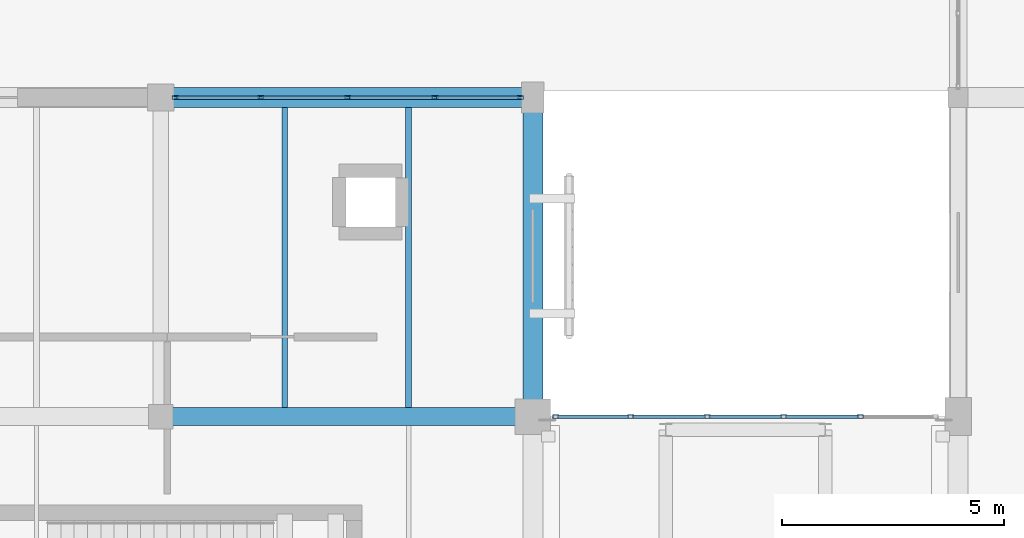
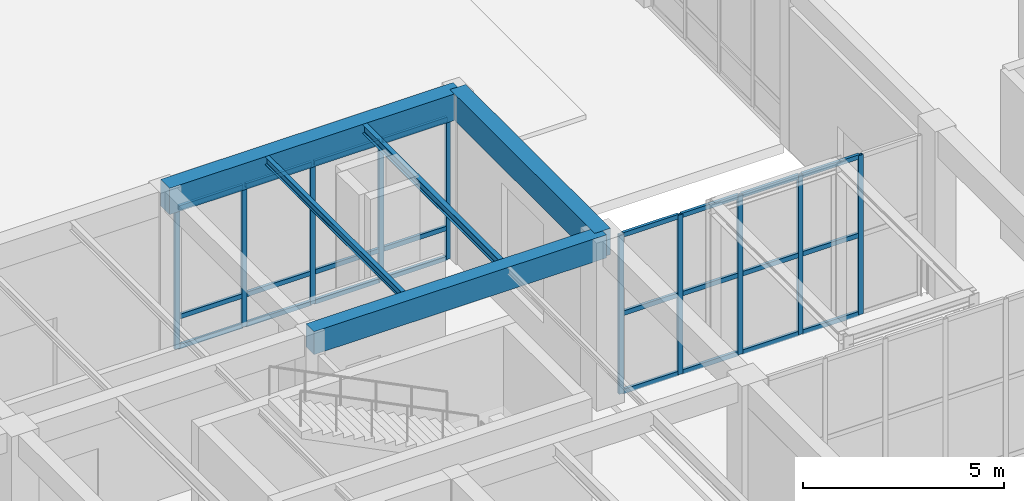
# One storey, part 53 of 169: 34 members, 5 beams, 2 elements without a shape of their own.
"""IFC4 building model written with IfcOpenShell, lengths in metres."""

from ifc_helpers import new_model, si_unit, direction, frame, origin, origin_2d, place, context, subcontext, project, spatial, rectangle, hollow_rectangle, i_section, extrude, material, layer, layer_set, material_profile, profile_set, type_object, element, aggregate, save


model = new_model("IFC4")

# Units and contexts
model_context = context("Model", 3, precision=1e-05, world=origin(), true_north=direction((0.0, 1.0)))
body_context = subcontext(model_context, "Body", "Model", "MODEL_VIEW")
ifc_project = project(units=[si_unit("LENGTHUNIT", "METRE"), si_unit("AREAUNIT", "SQUARE_METRE"), si_unit("VOLUMEUNIT", "CUBIC_METRE"), si_unit("PLANEANGLEUNIT", "RADIAN"), si_unit("MASSUNIT", "GRAM", prefix="KILO")], contexts=[model_context])

# Site, building, storey
site_placement = place(None, origin())
site = spatial("IfcSite", under=ifc_project, at=site_placement, CompositionType="ELEMENT")
building_placement = place(site_placement, origin())
building = spatial("IfcBuilding", under=site, at=building_placement, Name="Mazaris Harbour Polytechnic", CompositionType="ELEMENT")
storey_placement = place(building_placement, origin())
storey = spatial("IfcBuildingStorey", under=building, at=storey_placement, Name="L00", CompositionType="ELEMENT", Elevation=0.0)

# Curtain wall, members
ifc_material_1 = material(Name="Anodised Bronze Aluminium and Low-E Glass", Category="aluminium")
ifc_layer_1 = layer(ifc_material_1, 0.159912109375, Name="Anodised Bronze Aluminium and Low-E Glass")
ifc_layer_set_1 = layer_set([ifc_layer_1], Name="Anodised Bronze Aluminium and Low-E Glass")
curtain_wall_type_1 = type_object("IfcCurtainWallType", Name="Cloister Court Curtain Wall", PredefinedType="NOTDEFINED", material=ifc_layer_set_1)
curtain_wall_1_placement = place(storey_placement, origin())
curtain_wall_1 = element("IfcCurtainWall", 1, at=curtain_wall_1_placement, inside=storey, type_object=curtain_wall_type_1, Name="V3 L00 Curtain Wall 67", PredefinedType="NOTDEFINED")
ifc_material_2 = material(Name="Anodised Bronze Steel S355", Category="steel")
ifc_material_profile_1 = material_profile(ifc_material_2, hollow_rectangle(XDim=0.080078125, YDim=0.139892578125, WallThickness=0.00634765625, at=origin_2d()), Name="RHS 80x140x6.3")
ifc_profile_set_1 = profile_set([ifc_material_profile_1], Name="Anodised Bronze Steel S355")
member_type_1 = type_object("IfcMemberType", Name="Curtain Mullion RHS80x140", PredefinedType="MULLION", material=ifc_profile_set_1)
member_1_placement = place(storey_placement, frame((104.73193359375, 36.0, 0.0), z_axis=(0.0, 0.0, 1.0), x_axis=(0.0, 1.0, 0.0)))
member_1 = element("IfcMember", 2, at=member_1_placement, type_object=member_type_1, Name="CW-02 mullion 1", PredefinedType="MULLION", context=body_context, shape_type="SweptSolid", body=[
    extrude(hollow_rectangle(XDim=0.080078125, YDim=0.139892578125, WallThickness=0.00634765625, at=origin_2d()), origin(), (0.0, 0.0, 1.0), 4.2900390625),
])
member_2_placement = place(storey_placement, frame((106.658447265625, 36.0, 0.0), z_axis=(0.0, 0.0, 1.0), x_axis=(0.0, 1.0, 0.0)))
member_2 = element("IfcMember", 3, at=member_2_placement, type_object=member_type_1, Name="CW-02 mullion 2", PredefinedType="MULLION", context=body_context, shape_type="SweptSolid", body=[
    extrude(hollow_rectangle(XDim=0.080078125, YDim=0.139892578125, WallThickness=0.00634765625, at=origin_2d()), origin(), (0.0, 0.0, 1.0), 4.2900390625),
])
member_3_placement = place(storey_placement, frame((108.625, 36.0, 0.0), z_axis=(0.0, 0.0, 1.0), x_axis=(0.0, 1.0, 0.0)))
member_3 = element("IfcMember", 4, at=member_3_placement, type_object=member_type_1, Name="CW-02 mullion 3", PredefinedType="MULLION", context=body_context, shape_type="SweptSolid", body=[
    extrude(hollow_rectangle(XDim=0.080078125, YDim=0.139892578125, WallThickness=0.00634765625, at=origin_2d()), origin(), (0.0, 0.0, 1.0), 4.2900390625),
])
member_4_placement = place(storey_placement, frame((110.591552734375, 36.0, 0.0), z_axis=(0.0, 0.0, 1.0), x_axis=(0.0, 1.0, 0.0)))
member_4 = element("IfcMember", 5, at=member_4_placement, type_object=member_type_1, Name="CW-02 mullion 4", PredefinedType="MULLION", context=body_context, shape_type="SweptSolid", body=[
    extrude(hollow_rectangle(XDim=0.080078125, YDim=0.139892578125, WallThickness=0.00634765625, at=origin_2d()), origin(), (0.0, 0.0, 1.0), 4.2900390625),
])
member_5_placement = place(storey_placement, frame((112.51806640625, 36.0, 0.0), z_axis=(0.0, 0.0, 1.0), x_axis=(0.0, 1.0, 0.0)))
member_5 = element("IfcMember", 6, at=member_5_placement, type_object=member_type_1, Name="CW-02 mullion 5", PredefinedType="MULLION", context=body_context, shape_type="SweptSolid", body=[
    extrude(hollow_rectangle(XDim=0.080078125, YDim=0.139892578125, WallThickness=0.00634765625, at=origin_2d()), origin(), (0.0, 0.0, 1.0), 4.2900390625),
])

ifc_material_3 = material(Name="Anodised Bronze Aluminium and Low-E Glass", Category="aluminium")
ifc_layer_2 = layer(ifc_material_3, 0.139892578125, Name="Anodised Bronze Aluminium and Low-E Glass")
ifc_layer_set_2 = layer_set([ifc_layer_2], Name="Anodised Bronze Aluminium and Low-E Glass")
curtain_wall_type_2 = type_object("IfcCurtainWallType", Name="Seismic Link Bridge Glazing", PredefinedType="NOTDEFINED", material=ifc_layer_set_2)
curtain_wall_2_placement = place(storey_placement, origin())
curtain_wall_2 = element("IfcCurtainWall", 7, at=curtain_wall_2_placement, inside=storey, type_object=curtain_wall_type_2, Name="PB-E1 L00 Bridge Glazing", PredefinedType="NOTDEFINED")
member_6_placement = place(storey_placement, frame((120.19189453125, 28.800048828125, 0.0), z_axis=(0.0, 0.0, 1.0), x_axis=(0.0, -1.0, 0.0)))
member_6 = element("IfcMember", 8, at=member_6_placement, type_object=member_type_1, Name="CW-05 mullion 2", PredefinedType="MULLION", context=body_context, shape_type="SweptSolid", body=[
    extrude(hollow_rectangle(XDim=0.080078125, YDim=0.139892578125, WallThickness=0.00634765625, at=origin_2d()), origin(), (0.0, 0.0, 1.0), 4.8349609375),
])
member_7_placement = place(storey_placement, frame((118.464111328125, 28.800048828125, 0.0), z_axis=(0.0, 0.0, 1.0), x_axis=(0.0, -1.0, 0.0)))
member_7 = element("IfcMember", 9, at=member_7_placement, type_object=member_type_1, Name="CW-05 mullion 3", PredefinedType="MULLION", context=body_context, shape_type="SweptSolid", body=[
    extrude(hollow_rectangle(XDim=0.080078125, YDim=0.139892578125, WallThickness=0.00634765625, at=origin_2d()), origin(), (0.0, 0.0, 1.0), 4.8349609375),
])
member_8_placement = place(storey_placement, frame((116.736083984375, 28.800048828125, 0.0), z_axis=(0.0, 0.0, 1.0), x_axis=(0.0, -1.0, 0.0)))
member_8 = element("IfcMember", 10, at=member_8_placement, type_object=member_type_1, Name="CW-05 mullion 4", PredefinedType="MULLION", context=body_context, shape_type="SweptSolid", body=[
    extrude(hollow_rectangle(XDim=0.080078125, YDim=0.139892578125, WallThickness=0.00634765625, at=origin_2d()), origin(), (0.0, 0.0, 1.0), 4.8349609375),
])
member_9_placement = place(storey_placement, frame((115.008056640625, 28.800048828125, 0.0), z_axis=(0.0, 0.0, 1.0), x_axis=(0.0, -1.0, 0.0)))
member_9 = element("IfcMember", 11, at=member_9_placement, type_object=member_type_1, Name="CW-05 mullion 5", PredefinedType="MULLION", context=body_context, shape_type="SweptSolid", body=[
    extrude(hollow_rectangle(XDim=0.080078125, YDim=0.139892578125, WallThickness=0.00634765625, at=origin_2d()), origin(), (0.0, 0.0, 1.0), 4.8349609375),
])
member_10_placement = place(storey_placement, frame((113.320068359375, 28.800048828125, 0.0), z_axis=(0.0, 0.0, 1.0), x_axis=(0.0, -1.0, 0.0)))
member_10 = element("IfcMember", 12, at=member_10_placement, type_object=member_type_1, Name="CW-05 mullion 6", PredefinedType="MULLION", context=body_context, shape_type="SweptSolid", body=[
    extrude(hollow_rectangle(XDim=0.080078125, YDim=0.139892578125, WallThickness=0.00634765625, at=origin_2d()), origin(), (0.0, 0.0, 1.0), 4.8349609375),
])

# Member
ifc_material_4 = material(Name="Anodised Bronze Steel S355", Category="steel")
ifc_material_profile_2 = material_profile(ifc_material_4, hollow_rectangle(XDim=0.080078125, YDim=0.139892578125, WallThickness=0.00634765625, at=origin_2d()), Name="RHS 80x140x6.3")
ifc_profile_set_2 = profile_set([ifc_material_profile_2], Name="Anodised Bronze Steel S355")
member_type_2 = type_object("IfcMemberType", Name="Curtain Transom RHS80x140", PredefinedType="USERDEFINED", material=ifc_profile_set_2)
member_11_placement = place(storey_placement, frame((104.77197265625, 36.0, 0.0400390625), z_axis=(1.0, 0.0, 0.0), x_axis=(0.0, 1.0, 0.0)))
member_11 = element("IfcMember", 13, at=member_11_placement, type_object=member_type_2, Name="CW-02 transom 1.1", ObjectType="TRANSOM", PredefinedType="USERDEFINED", context=body_context, shape_type="SweptSolid", body=[
    extrude(hollow_rectangle(XDim=0.080078125, YDim=0.139892578125, WallThickness=0.00634765625, at=origin_2d()), origin(), (0.0, 0.0, 1.0), 1.846435546875),
])

member_12_placement = place(storey_placement, frame((104.77197265625, 36.0, 0.949951171875), z_axis=(1.0, 0.0, 0.0), x_axis=(0.0, 1.0, 0.0)))
member_12 = element("IfcMember", 14, at=member_12_placement, type_object=member_type_2, Name="CW-02 transom 1.2", ObjectType="TRANSOM", PredefinedType="USERDEFINED", context=body_context, shape_type="SweptSolid", body=[
    extrude(hollow_rectangle(XDim=0.080078125, YDim=0.139892578125, WallThickness=0.00634765625, at=origin_2d()), origin(), (0.0, 0.0, 1.0), 1.846435546875),
])

member_13_placement = place(storey_placement, frame((104.77197265625, 36.0, 4.25), z_axis=(1.0, 0.0, 0.0), x_axis=(0.0, 1.0, 0.0)))
member_13 = element("IfcMember", 15, at=member_13_placement, type_object=member_type_2, Name="CW-02 transom 1.3", ObjectType="TRANSOM", PredefinedType="USERDEFINED", context=body_context, shape_type="SweptSolid", body=[
    extrude(hollow_rectangle(XDim=0.080078125, YDim=0.139892578125, WallThickness=0.00634765625, at=origin_2d()), origin(), (0.0, 0.0, 1.0), 1.846435546875),
])

member_14_placement = place(storey_placement, frame((106.698486328125, 36.0, 0.0400390625), z_axis=(1.0, 0.0, 0.0), x_axis=(0.0, 1.0, 0.0)))
member_14 = element("IfcMember", 16, at=member_14_placement, type_object=member_type_2, Name="CW-02 transom 2.1", ObjectType="TRANSOM", PredefinedType="USERDEFINED", context=body_context, shape_type="SweptSolid", body=[
    extrude(hollow_rectangle(XDim=0.080078125, YDim=0.139892578125, WallThickness=0.00634765625, at=origin_2d()), origin(), (0.0, 0.0, 1.0), 1.886474609375),
])

member_15_placement = place(storey_placement, frame((106.698486328125, 36.0, 0.949951171875), z_axis=(1.0, 0.0, 0.0), x_axis=(0.0, 1.0, 0.0)))
member_15 = element("IfcMember", 17, at=member_15_placement, type_object=member_type_2, Name="CW-02 transom 2.2", ObjectType="TRANSOM", PredefinedType="USERDEFINED", context=body_context, shape_type="SweptSolid", body=[
    extrude(hollow_rectangle(XDim=0.080078125, YDim=0.139892578125, WallThickness=0.00634765625, at=origin_2d()), origin(), (0.0, 0.0, 1.0), 1.886474609375),
])

member_16_placement = place(storey_placement, frame((106.698486328125, 36.0, 4.25), z_axis=(1.0, 0.0, 0.0), x_axis=(0.0, 1.0, 0.0)))
member_16 = element("IfcMember", 18, at=member_16_placement, type_object=member_type_2, Name="CW-02 transom 2.3", ObjectType="TRANSOM", PredefinedType="USERDEFINED", context=body_context, shape_type="SweptSolid", body=[
    extrude(hollow_rectangle(XDim=0.080078125, YDim=0.139892578125, WallThickness=0.00634765625, at=origin_2d()), origin(), (0.0, 0.0, 1.0), 1.886474609375),
])

member_17_placement = place(storey_placement, frame((108.6650390625, 36.0, 0.0400390625), z_axis=(1.0, 0.0, 0.0), x_axis=(0.0, 1.0, 0.0)))
member_17 = element("IfcMember", 19, at=member_17_placement, type_object=member_type_2, Name="CW-02 transom 3.1", ObjectType="TRANSOM", PredefinedType="USERDEFINED", context=body_context, shape_type="SweptSolid", body=[
    extrude(hollow_rectangle(XDim=0.080078125, YDim=0.139892578125, WallThickness=0.00634765625, at=origin_2d()), origin(), (0.0, 0.0, 1.0), 1.886474609375),
])

member_18_placement = place(storey_placement, frame((108.6650390625, 36.0, 0.949951171875), z_axis=(1.0, 0.0, 0.0), x_axis=(0.0, 1.0, 0.0)))
member_18 = element("IfcMember", 20, at=member_18_placement, type_object=member_type_2, Name="CW-02 transom 3.2", ObjectType="TRANSOM", PredefinedType="USERDEFINED", context=body_context, shape_type="SweptSolid", body=[
    extrude(hollow_rectangle(XDim=0.080078125, YDim=0.139892578125, WallThickness=0.00634765625, at=origin_2d()), origin(), (0.0, 0.0, 1.0), 1.886474609375),
])

member_19_placement = place(storey_placement, frame((108.6650390625, 36.0, 4.25), z_axis=(1.0, 0.0, 0.0), x_axis=(0.0, 1.0, 0.0)))
member_19 = element("IfcMember", 21, at=member_19_placement, type_object=member_type_2, Name="CW-02 transom 3.3", ObjectType="TRANSOM", PredefinedType="USERDEFINED", context=body_context, shape_type="SweptSolid", body=[
    extrude(hollow_rectangle(XDim=0.080078125, YDim=0.139892578125, WallThickness=0.00634765625, at=origin_2d()), origin(), (0.0, 0.0, 1.0), 1.886474609375),
])

member_20_placement = place(storey_placement, frame((110.631591796875, 36.0, 0.0400390625), z_axis=(1.0, 0.0, 0.0), x_axis=(0.0, 1.0, 0.0)))
member_20 = element("IfcMember", 22, at=member_20_placement, type_object=member_type_2, Name="CW-02 transom 4.1", ObjectType="TRANSOM", PredefinedType="USERDEFINED", context=body_context, shape_type="SweptSolid", body=[
    extrude(hollow_rectangle(XDim=0.080078125, YDim=0.139892578125, WallThickness=0.00634765625, at=origin_2d()), origin(), (0.0, 0.0, 1.0), 1.846435546875),
])

member_21_placement = place(storey_placement, frame((110.631591796875, 36.0, 0.949951171875), z_axis=(1.0, 0.0, 0.0), x_axis=(0.0, 1.0, 0.0)))
member_21 = element("IfcMember", 23, at=member_21_placement, type_object=member_type_2, Name="CW-02 transom 4.2", ObjectType="TRANSOM", PredefinedType="USERDEFINED", context=body_context, shape_type="SweptSolid", body=[
    extrude(hollow_rectangle(XDim=0.080078125, YDim=0.139892578125, WallThickness=0.00634765625, at=origin_2d()), origin(), (0.0, 0.0, 1.0), 1.846435546875),
])

member_22_placement = place(storey_placement, frame((110.631591796875, 36.0, 4.25), z_axis=(1.0, 0.0, 0.0), x_axis=(0.0, 1.0, 0.0)))
member_22 = element("IfcMember", 24, at=member_22_placement, type_object=member_type_2, Name="CW-02 transom 4.3", ObjectType="TRANSOM", PredefinedType="USERDEFINED", context=body_context, shape_type="SweptSolid", body=[
    extrude(hollow_rectangle(XDim=0.080078125, YDim=0.139892578125, WallThickness=0.00634765625, at=origin_2d()), origin(), (0.0, 0.0, 1.0), 1.846435546875),
])

aggregate(curtain_wall_1, [member_1, member_2, member_3, member_4, member_5, member_11, member_12, member_13, member_14, member_15, member_16, member_17, member_18, member_19, member_20, member_21, member_22])

member_23_placement = place(storey_placement, frame((120.152099609375, 28.800048828125, 0.0400390625), z_axis=(-1.0, 0.0, 0.0), x_axis=(0.0, -1.0, 0.0)))
member_23 = element("IfcMember", 25, at=member_23_placement, type_object=member_type_2, Name="CW-05 transom 2.1", ObjectType="TRANSOM", PredefinedType="USERDEFINED", context=body_context, shape_type="SweptSolid", body=[
    extrude(hollow_rectangle(XDim=0.080078125, YDim=0.139892578125, WallThickness=0.00634765625, at=origin_2d()), origin(), (0.0, 0.0, 1.0), 1.648193359375),
])

member_24_placement = place(storey_placement, frame((120.152099609375, 28.800048828125, 2.41748046875), z_axis=(-1.0, 0.0, 0.0), x_axis=(0.0, -1.0, 0.0)))
member_24 = element("IfcMember", 26, at=member_24_placement, type_object=member_type_2, Name="CW-05 transom 2.2", ObjectType="TRANSOM", PredefinedType="USERDEFINED", context=body_context, shape_type="SweptSolid", body=[
    extrude(hollow_rectangle(XDim=0.080078125, YDim=0.139892578125, WallThickness=0.00634765625, at=origin_2d()), origin(), (0.0, 0.0, 1.0), 1.648193359375),
])

member_25_placement = place(storey_placement, frame((120.152099609375, 28.800048828125, 4.794921875), z_axis=(-1.0, 0.0, 0.0), x_axis=(0.0, -1.0, 0.0)))
member_25 = element("IfcMember", 27, at=member_25_placement, type_object=member_type_2, Name="CW-05 transom 2.3", ObjectType="TRANSOM", PredefinedType="USERDEFINED", context=body_context, shape_type="SweptSolid", body=[
    extrude(hollow_rectangle(XDim=0.080078125, YDim=0.139892578125, WallThickness=0.00634765625, at=origin_2d()), origin(), (0.0, 0.0, 1.0), 1.648193359375),
])

member_26_placement = place(storey_placement, frame((118.424072265625, 28.800048828125, 0.0400390625), z_axis=(-1.0, 0.0, 0.0), x_axis=(0.0, -1.0, 0.0)))
member_26 = element("IfcMember", 28, at=member_26_placement, type_object=member_type_2, Name="CW-05 transom 3.1", ObjectType="TRANSOM", PredefinedType="USERDEFINED", context=body_context, shape_type="SweptSolid", body=[
    extrude(hollow_rectangle(XDim=0.080078125, YDim=0.139892578125, WallThickness=0.00634765625, at=origin_2d()), origin(), (0.0, 0.0, 1.0), 1.648193359375),
])

member_27_placement = place(storey_placement, frame((118.424072265625, 28.800048828125, 2.41748046875), z_axis=(-1.0, 0.0, 0.0), x_axis=(0.0, -1.0, 0.0)))
member_27 = element("IfcMember", 29, at=member_27_placement, type_object=member_type_2, Name="CW-05 transom 3.2", ObjectType="TRANSOM", PredefinedType="USERDEFINED", context=body_context, shape_type="SweptSolid", body=[
    extrude(hollow_rectangle(XDim=0.080078125, YDim=0.139892578125, WallThickness=0.00634765625, at=origin_2d()), origin(), (0.0, 0.0, 1.0), 1.648193359375),
])

member_28_placement = place(storey_placement, frame((118.424072265625, 28.800048828125, 4.794921875), z_axis=(-1.0, 0.0, 0.0), x_axis=(0.0, -1.0, 0.0)))
member_28 = element("IfcMember", 30, at=member_28_placement, type_object=member_type_2, Name="CW-05 transom 3.3", ObjectType="TRANSOM", PredefinedType="USERDEFINED", context=body_context, shape_type="SweptSolid", body=[
    extrude(hollow_rectangle(XDim=0.080078125, YDim=0.139892578125, WallThickness=0.00634765625, at=origin_2d()), origin(), (0.0, 0.0, 1.0), 1.648193359375),
])

member_29_placement = place(storey_placement, frame((116.696044921875, 28.800048828125, 0.0400390625), z_axis=(-1.0, 0.0, 0.0), x_axis=(0.0, -1.0, 0.0)))
member_29 = element("IfcMember", 31, at=member_29_placement, type_object=member_type_2, Name="CW-05 transom 4.1", ObjectType="TRANSOM", PredefinedType="USERDEFINED", context=body_context, shape_type="SweptSolid", body=[
    extrude(hollow_rectangle(XDim=0.080078125, YDim=0.139892578125, WallThickness=0.00634765625, at=origin_2d()), origin(), (0.0, 0.0, 1.0), 1.64794921875),
])

member_30_placement = place(storey_placement, frame((116.696044921875, 28.800048828125, 2.41748046875), z_axis=(-1.0, 0.0, 0.0), x_axis=(0.0, -1.0, 0.0)))
member_30 = element("IfcMember", 32, at=member_30_placement, type_object=member_type_2, Name="CW-05 transom 4.2", ObjectType="TRANSOM", PredefinedType="USERDEFINED", context=body_context, shape_type="SweptSolid", body=[
    extrude(hollow_rectangle(XDim=0.080078125, YDim=0.139892578125, WallThickness=0.00634765625, at=origin_2d()), origin(), (0.0, 0.0, 1.0), 1.64794921875),
])

member_31_placement = place(storey_placement, frame((116.696044921875, 28.800048828125, 4.794921875), z_axis=(-1.0, 0.0, 0.0), x_axis=(0.0, -1.0, 0.0)))
member_31 = element("IfcMember", 33, at=member_31_placement, type_object=member_type_2, Name="CW-05 transom 4.3", ObjectType="TRANSOM", PredefinedType="USERDEFINED", context=body_context, shape_type="SweptSolid", body=[
    extrude(hollow_rectangle(XDim=0.080078125, YDim=0.139892578125, WallThickness=0.00634765625, at=origin_2d()), origin(), (0.0, 0.0, 1.0), 1.64794921875),
])

member_32_placement = place(storey_placement, frame((114.968017578125, 28.800048828125, 0.0400390625), z_axis=(-1.0, 0.0, 0.0), x_axis=(0.0, -1.0, 0.0)))
member_32 = element("IfcMember", 34, at=member_32_placement, type_object=member_type_2, Name="CW-05 transom 5.1", ObjectType="TRANSOM", PredefinedType="USERDEFINED", context=body_context, shape_type="SweptSolid", body=[
    extrude(hollow_rectangle(XDim=0.080078125, YDim=0.139892578125, WallThickness=0.00634765625, at=origin_2d()), origin(), (0.0, 0.0, 1.0), 1.60791015625),
])

member_33_placement = place(storey_placement, frame((114.968017578125, 28.800048828125, 2.41748046875), z_axis=(-1.0, 0.0, 0.0), x_axis=(0.0, -1.0, 0.0)))
member_33 = element("IfcMember", 35, at=member_33_placement, type_object=member_type_2, Name="CW-05 transom 5.2", ObjectType="TRANSOM", PredefinedType="USERDEFINED", context=body_context, shape_type="SweptSolid", body=[
    extrude(hollow_rectangle(XDim=0.080078125, YDim=0.139892578125, WallThickness=0.00634765625, at=origin_2d()), origin(), (0.0, 0.0, 1.0), 1.60791015625),
])

member_34_placement = place(storey_placement, frame((114.968017578125, 28.800048828125, 4.794921875), z_axis=(-1.0, 0.0, 0.0), x_axis=(0.0, -1.0, 0.0)))
member_34 = element("IfcMember", 36, at=member_34_placement, type_object=member_type_2, Name="CW-05 transom 5.3", ObjectType="TRANSOM", PredefinedType="USERDEFINED", context=body_context, shape_type="SweptSolid", body=[
    extrude(hollow_rectangle(XDim=0.080078125, YDim=0.139892578125, WallThickness=0.00634765625, at=origin_2d()), origin(), (0.0, 0.0, 1.0), 1.60791015625),
])

aggregate(curtain_wall_2, [member_6, member_7, member_8, member_9, member_10, member_23, member_24, member_25, member_26, member_27, member_28, member_29, member_30, member_31, member_32, member_33, member_34])

# Beams
ifc_material_5 = material(Name="Concrete C35/45", Category="concrete")
ifc_material_profile_3 = material_profile(ifc_material_5, rectangle(XDim=0.39990234375, YDim=0.699951171875, at=origin_2d()), Name="RECT400x700")
ifc_profile_set_3 = profile_set([ifc_material_profile_3], Name="Concrete C35/45")
beam_type_1 = type_object("IfcBeamType", Name="RC Girder 400x700", PredefinedType="BEAM", material=ifc_profile_set_3)
beam_1_placement = place(storey_placement, frame((104.39990234375, 28.800048828125, 4.75), z_axis=(1.0, 0.0, 0.0), x_axis=(0.0, 1.0, 0.0)))
element("IfcBeam", 37, at=beam_1_placement, inside=storey, type_object=beam_type_1, Name="V3 L00 Girder 882", PredefinedType="BEAM", context=body_context, shape_type="SweptSolid", body=[
    extrude(rectangle(XDim=0.39990234375, YDim=0.699951171875, at=origin_2d()), origin(), (0.0, 0.0, 1.0), 8.400146484375),
])
ifc_material_6 = material(Name="Concrete C40/50", Category="concrete")
ifc_material_profile_4 = material_profile(ifc_material_6, rectangle(XDim=0.449951171875, YDim=0.800048828125, at=origin_2d()), Name="RECT450x800")
ifc_profile_set_4 = profile_set([ifc_material_profile_4], Name="Concrete C40/50")
beam_type_2 = type_object("IfcBeamType", Name="RC Girder 450x800 Exterior", PredefinedType="BEAM", material=ifc_profile_set_4)
beam_2_placement = place(storey_placement, frame((104.39990234375, 36.0, 4.699951171875), z_axis=(1.0, 0.0, 0.0), x_axis=(0.0, 1.0, 0.0)))
element("IfcBeam", 38, at=beam_2_placement, inside=storey, type_object=beam_type_2, Name="V3 L00 Girder 889", PredefinedType="BEAM", context=body_context, shape_type="SweptSolid", body=[
    extrude(rectangle(XDim=0.449951171875, YDim=0.800048828125, at=origin_2d()), origin(), (0.0, 0.0, 1.0), 8.400146484375),
])
beam_3_placement = place(storey_placement, frame((112.800048828125, 28.800048828125, 4.699951171875), z_axis=(0.0, 1.0, 0.0), x_axis=(-1.0, 0.0, 0.0)))
element("IfcBeam", 39, at=beam_3_placement, inside=storey, type_object=beam_type_2, Name="V3 L00 Tie Girder 919", PredefinedType="BEAM", context=body_context, shape_type="SweptSolid", body=[
    extrude(rectangle(XDim=0.449951171875, YDim=0.800048828125, at=origin_2d()), origin(), (0.0, 0.0, 1.0), 7.199951171875),
])
ifc_material_7 = material(Name="Steel S355", Category="steel")
ifc_material_profile_5 = material_profile(ifc_material_7, i_section(OverallWidth=0.1201171875, OverallDepth=0.239990234375, WebThickness=0.006103515625, FlangeThickness=0.009765625, FilletRadius=0.014892578125, at=origin_2d()), Name="IPE 240")
ifc_profile_set_5 = profile_set([ifc_material_profile_5], Name="Steel S355")
beam_type_3 = type_object("IfcBeamType", Name="Steel Joist IPE240", PredefinedType="JOIST", material=ifc_profile_set_5)
beam_4_placement = place(storey_placement, frame((107.199951171875, 29.0, 4.97998046875), z_axis=(0.0, 1.0, 0.0), x_axis=(-1.0, 0.0, 0.0)))
element("IfcBeam", 40, at=beam_4_placement, inside=storey, type_object=beam_type_3, Name="V3 L00 Floor Joist 967", PredefinedType="JOIST", context=body_context, shape_type="SweptSolid", body=[
    extrude(i_section(OverallWidth=0.1201171875, OverallDepth=0.239990234375, WebThickness=0.006103515625, FlangeThickness=0.009765625, FilletRadius=0.014892578125, at=origin_2d()), origin(), (0.0, 0.0, 1.0), 6.77490234375),
])
ifc_material_8 = material(Name="Steel S355", Category="steel")
ifc_material_profile_6 = material_profile(ifc_material_8, i_section(OverallWidth=0.135009765625, OverallDepth=0.27001953125, WebThickness=0.006591796875, FlangeThickness=0.01025390625, FilletRadius=0.014892578125, at=origin_2d()), Name="IPE 270")
ifc_profile_set_6 = profile_set([ifc_material_profile_6], Name="Steel S355")
beam_type_4 = type_object("IfcBeamType", Name="Steel Joist IPE270", PredefinedType="JOIST", material=ifc_profile_set_6)
beam_5_placement = place(storey_placement, frame((110.0, 29.0, 4.965087890625), z_axis=(0.0, 1.0, 0.0), x_axis=(-1.0, 0.0, 0.0)))
element("IfcBeam", 41, at=beam_5_placement, inside=storey, type_object=beam_type_4, Name="V3 L00 Floor Joist 968", PredefinedType="JOIST", context=body_context, shape_type="SweptSolid", body=[
    extrude(i_section(OverallWidth=0.135009765625, OverallDepth=0.27001953125, WebThickness=0.006591796875, FlangeThickness=0.01025390625, FilletRadius=0.014892578125, at=origin_2d()), origin(), (0.0, 0.0, 1.0), 6.77490234375),
])

save(model, "model.ifc")
